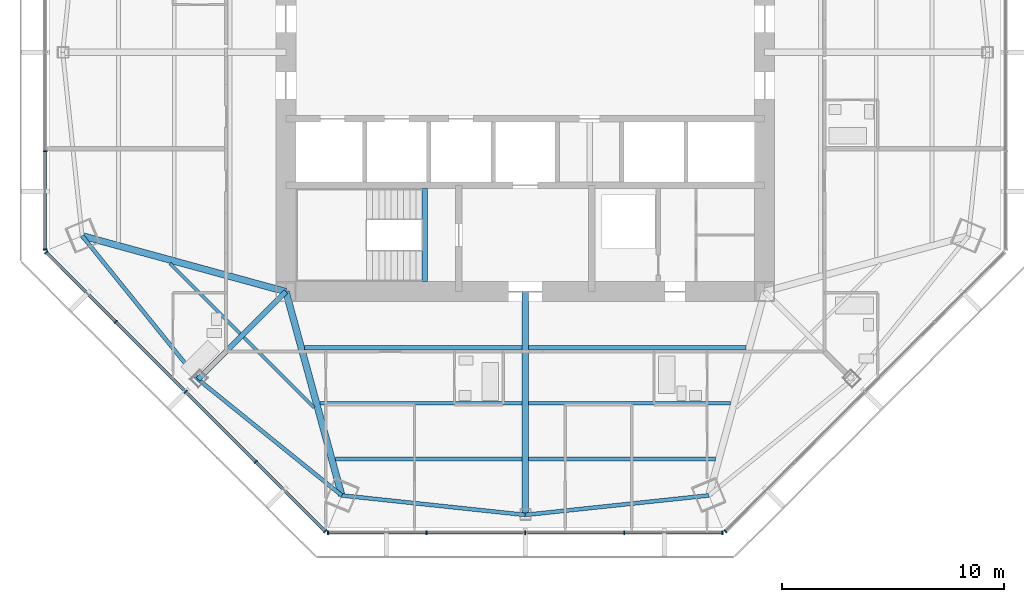
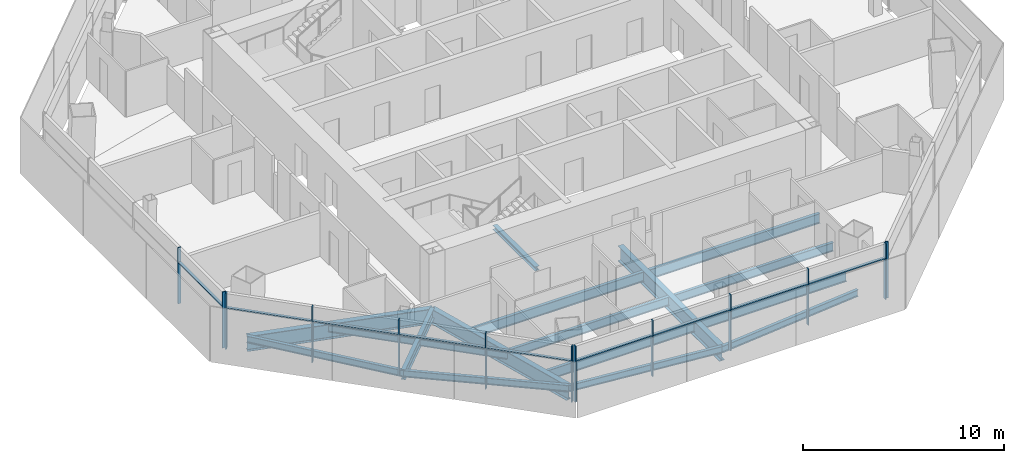
# One storey, part 2 of 15: 22 members, 17 beams, 4 elements without a shape of their own.
"""IFC4 building model written with IfcOpenShell, lengths in metres."""

from ifc_helpers import new_model, si_unit, direction, frame, origin, origin_2d, place, context, subcontext, project, spatial, rectangle, i_section, extrude, source, transform, mapped, material, material_profile, profile_set, type_object, type_shapes, element, aggregate, save


model = new_model("IFC4")

# Units and contexts
model_context = context("Model", 3, precision=1e-05, world=origin(), true_north=direction((0.0, 1.0)))
body_context = subcontext(model_context, "Body", "Model", "MODEL_VIEW")
ifc_project = project(units=[si_unit("LENGTHUNIT", "METRE"), si_unit("AREAUNIT", "SQUARE_METRE"), si_unit("VOLUMEUNIT", "CUBIC_METRE"), si_unit("PLANEANGLEUNIT", "RADIAN"), si_unit("MASSUNIT", "GRAM", prefix="KILO")], contexts=[model_context])

# Site, building, storey
site_placement = place(None, origin())
site = spatial("IfcSite", under=ifc_project, at=site_placement, CompositionType="ELEMENT")
building_placement = place(site_placement, origin())
building = spatial("IfcBuilding", under=site, at=building_placement, Name="Mashrafa Tower", CompositionType="ELEMENT")
storey_placement = place(building_placement, frame((0.0, 0.0, 224.39990234375)))
storey = spatial("IfcBuildingStorey", under=building, at=storey_placement, Name="L52", CompositionType="ELEMENT", Elevation=224.39990234375)

# Beams
ifc_material_1 = material(Name="Steel ASTM A992", Category="steel")
ifc_material_profile_1 = material_profile(ifc_material_1, i_section(OverallWidth=0.140380859375, OverallDepth=0.40380859375, WebThickness=0.007080078125, FlangeThickness=0.01123046875, FilletRadius=0.01025390625, at=origin_2d()), Name="W16X31")
ifc_profile_set_1 = profile_set([ifc_material_profile_1], Name="Steel ASTM A992")
beam_type_1 = type_object("IfcBeamType", Name="Beam W16X31", PredefinedType="BEAM", material=ifc_profile_set_1)
for number, where, z_axis, x_axis, name in (
    (1, (-12.860595703125, -12.698486328125, -0.40185546875), (-0.707106781187, 0.707106781187, 0.0), (-0.707106781187, -0.707106781187, 0.0), "Floor beam L52 008"),
    (2, (-9.5244140625, -16.03466796875, -0.40185546875), (-0.707106781187, 0.707106781187, 0.0), (-0.707106781187, -0.707106781187, 0.0), "Floor beam L52 012"),
):
    element("IfcBeam", number, at=place(storey_placement, frame(where, z_axis=z_axis, x_axis=x_axis)), inside=storey, type_object=beam_type_1, Name=name, PredefinedType="BEAM", context=body_context, shape_type="SweptSolid", body=[
        extrude(i_section(OverallWidth=0.140380859375, OverallDepth=0.40380859375, WebThickness=0.007080078125, FlangeThickness=0.01123046875, FilletRadius=0.01025390625, at=origin_2d()), origin(), (0.0, 0.0, 1.0), 4.48876953125),
    ])
ifc_material_2 = material(Name="Steel ASTM A992", Category="steel")
ifc_material_profile_2 = material_profile(ifc_material_2, i_section(OverallWidth=0.177734375, OverallDepth=0.406494140625, WebThickness=0.0078125, FlangeThickness=0.012939453125, FilletRadius=0.01025390625, at=origin_2d()), Name="W16X40")
ifc_profile_set_2 = profile_set([ifc_material_profile_2], Name="Steel ASTM A992")
beam_type_2 = type_object("IfcBeamType", Name="Beam W16X40", PredefinedType="BEAM", material=ifc_profile_set_2)
for number, where, z_axis, x_axis, name in (
    (3, (-19.994140625, -8.281982421875, -0.403076171875), (0.628601824372, -0.777727295648, 0.0), (0.777727295648, 0.628601824372, 0.0), "Spandrel beam L52 050"),
    (4, (-14.759033203125, -14.759033203125, -0.403076171875), (0.777727295648, -0.628601824372, 0.0), (0.628601824372, 0.777727295648, 0.0), "Spandrel beam L52 052"),
):
    element("IfcBeam", number, at=place(storey_placement, frame(where, z_axis=z_axis, x_axis=x_axis)), inside=storey, type_object=beam_type_2, Name=name, PredefinedType="BEAM", context=body_context, shape_type="SweptSolid", body=[
        extrude(i_section(OverallWidth=0.177734375, OverallDepth=0.406494140625, WebThickness=0.0078125, FlangeThickness=0.012939453125, FilletRadius=0.01025390625, at=origin_2d()), origin(), (0.0, 0.0, 1.0), 8.328125),
    ])
for number, where, z_axis, x_axis, name in (
    (5, (-8.281982421875, -19.994140625, -0.403076171875), (0.994425332774, -0.105443148365, 0.0), (0.105443148365, 0.994425332774, 0.0), "Spandrel beam L52 054"),
    (6, (0.0, -20.872314453125, -0.403076171875), (0.994425332774, 0.105443148365, 0.0), (-0.105443148365, 0.994425332774, 0.0), "Spandrel beam L52 056"),
):
    element("IfcBeam", number, at=place(storey_placement, frame(where, z_axis=z_axis, x_axis=x_axis)), inside=storey, type_object=beam_type_2, Name=name, PredefinedType="BEAM", context=body_context, shape_type="SweptSolid", body=[
        extrude(i_section(OverallWidth=0.177734375, OverallDepth=0.406494140625, WebThickness=0.0078125, FlangeThickness=0.012939453125, FilletRadius=0.01025390625, at=origin_2d()), origin(), (0.0, 0.0, 1.0), 8.328369140625),
    ])
ifc_material_3 = material(Name="Steel ASTM A992", Category="steel")
ifc_material_profile_3 = material_profile(ifc_material_3, i_section(OverallWidth=0.1650390625, OverallDepth=0.52587890625, WebThickness=0.0087890625, FlangeThickness=0.011474609375, FilletRadius=0.0126953125, at=origin_2d()), Name="W21X44")
ifc_profile_set_3 = profile_set([ifc_material_profile_3], Name="Steel ASTM A992")
beam_type_3 = type_object("IfcBeamType", Name="Beam W21X44", PredefinedType="BEAM", material=ifc_profile_set_3)
for number, where, z_axis, x_axis, name in (
    (7, (-0.15380859375, -15.836181640625, -0.462890625), (-1.0, 0.0, 0.0), (0.0, -1.0, 0.0), "Floor beam L52 015"),
    (8, (9.2626953125, -15.836181640625, -0.462890625), (-1.0, 0.0, 0.0), (0.0, -1.0, 0.0), "Floor beam L52 022"),
):
    element("IfcBeam", number, at=place(storey_placement, frame(where, z_axis=z_axis, x_axis=x_axis)), inside=storey, type_object=beam_type_3, Name=name, PredefinedType="BEAM", context=body_context, shape_type="SweptSolid", body=[
        extrude(i_section(OverallWidth=0.1650390625, OverallDepth=0.52587890625, WebThickness=0.0087890625, FlangeThickness=0.011474609375, FilletRadius=0.0126953125, at=origin_2d()), origin(), (0.0, 0.0, 1.0), 9.10888671875),
    ])
ifc_material_4 = material(Name="Steel ASTM A992", Category="steel")
ifc_material_profile_4 = material_profile(ifc_material_4, i_section(OverallWidth=0.177978515625, OverallDepth=0.599365234375, WebThickness=0.010009765625, FlangeThickness=0.012939453125, FilletRadius=0.012939453125, at=origin_2d()), Name="W24X55")
ifc_profile_set_4 = profile_set([ifc_material_profile_4], Name="Steel ASTM A992")
beam_type_4 = type_object("IfcBeamType", Name="Beam W24X55", PredefinedType="BEAM", material=ifc_profile_set_4)
beam_1_placement = place(storey_placement, frame((-0.15380859375, -18.354248046875, -0.49951171875), z_axis=(-1.0, 0.0, 0.0), x_axis=(0.0, -1.0, 0.0)))
element("IfcBeam", 9, at=beam_1_placement, inside=storey, type_object=beam_type_4, Name="Floor beam L52 014", PredefinedType="BEAM", context=body_context, shape_type="SweptSolid", body=[
    extrude(i_section(OverallWidth=0.177978515625, OverallDepth=0.599365234375, WebThickness=0.010009765625, FlangeThickness=0.012939453125, FilletRadius=0.012939453125, at=origin_2d()), origin(), (0.0, 0.0, 1.0), 8.419189453125),
])
beam_2_placement = place(storey_placement, frame((-0.15380859375, -13.318115234375, -0.49951171875), z_axis=(-1.0, 0.0, 0.0), x_axis=(0.0, -1.0, 0.0)))
element("IfcBeam", 10, at=beam_2_placement, inside=storey, type_object=beam_type_4, Name="Floor beam L52 016", PredefinedType="BEAM", context=body_context, shape_type="SweptSolid", body=[
    extrude(i_section(OverallWidth=0.177978515625, OverallDepth=0.599365234375, WebThickness=0.010009765625, FlangeThickness=0.012939453125, FilletRadius=0.012939453125, at=origin_2d()), origin(), (0.0, 0.0, 1.0), 9.798583984375),
])
beam_3_placement = place(storey_placement, frame((8.572998046875, -18.354248046875, -0.49951171875), z_axis=(-1.0, 0.0, 0.0), x_axis=(0.0, -1.0, 0.0)))
element("IfcBeam", 11, at=beam_3_placement, inside=storey, type_object=beam_type_4, Name="Floor beam L52 020", PredefinedType="BEAM", context=body_context, shape_type="SweptSolid", body=[
    extrude(i_section(OverallWidth=0.177978515625, OverallDepth=0.599365234375, WebThickness=0.010009765625, FlangeThickness=0.012939453125, FilletRadius=0.012939453125, at=origin_2d()), origin(), (0.0, 0.0, 1.0), 8.419189453125),
])
beam_4_placement = place(storey_placement, frame((9.952392578125, -13.318115234375, -0.49951171875), z_axis=(-1.0, 0.0, 0.0), x_axis=(0.0, -1.0, 0.0)))
element("IfcBeam", 12, at=beam_4_placement, inside=storey, type_object=beam_type_4, Name="Floor beam L52 023", PredefinedType="BEAM", context=body_context, shape_type="SweptSolid", body=[
    extrude(i_section(OverallWidth=0.177978515625, OverallDepth=0.599365234375, WebThickness=0.010009765625, FlangeThickness=0.012939453125, FilletRadius=0.012939453125, at=origin_2d()), origin(), (0.0, 0.0, 1.0), 9.798583984375),
])
ifc_material_5 = material(Name="Steel ASTM A992", Category="steel")
ifc_material_profile_5 = material_profile(ifc_material_5, i_section(OverallWidth=0.22900390625, OverallDepth=0.612060546875, WebThickness=0.011962890625, FlangeThickness=0.01953125, FilletRadius=0.0126953125, at=origin_2d()), Name="W24X84")
ifc_profile_set_5 = profile_set([ifc_material_profile_5], Name="Steel ASTM A992")
beam_type_5 = type_object("IfcBeamType", Name="Beam W24X84", PredefinedType="BEAM", material=ifc_profile_set_5)
beam_5_placement = place(storey_placement, frame((-10.800048828125, -10.800048828125, -0.505859375), z_axis=(-0.707106781187, -0.707106781187, 0.0), x_axis=(0.707106781187, -0.707106781187, 0.0)))
element("IfcBeam", 13, at=beam_5_placement, inside=storey, type_object=beam_type_5, Name="Radial girder L52 034", PredefinedType="BEAM", context=body_context, shape_type="SweptSolid", body=[
    extrude(i_section(OverallWidth=0.22900390625, OverallDepth=0.612060546875, WebThickness=0.011962890625, FlangeThickness=0.01953125, FilletRadius=0.0126953125, at=origin_2d()), origin(), (0.0, 0.0, 1.0), 5.598876953125),
])
ifc_material_6 = material(Name="Steel ASTM A992", Category="steel")
ifc_material_profile_6 = material_profile(ifc_material_6, i_section(OverallWidth=0.3046875, OverallDepth=0.911865234375, WebThickness=0.015869140625, FlangeThickness=0.02392578125, FilletRadius=0.01904296875, at=origin_2d()), Name="W36X150")
ifc_profile_set_6 = profile_set([ifc_material_profile_6], Name="Steel ASTM A992")
beam_type_6 = type_object("IfcBeamType", Name="Beam W36X150", PredefinedType="BEAM", material=ifc_profile_set_6)
for number, where, z_axis, x_axis, name in (
    (14, (-10.800048828125, -10.800048828125, -0.65576171875), (-0.964481350418, 0.264150950588, 0.0), (-0.264150950588, -0.964481350418, 0.0), "Radial girder L52 033"),
    (15, (-10.800048828125, -10.800048828125, -0.65576171875), (0.264150950588, -0.964481350418, 0.0), (0.964481350418, 0.264150950588, 0.0), "Radial girder L52 035"),
):
    element("IfcBeam", number, at=place(storey_placement, frame(where, z_axis=z_axis, x_axis=x_axis)), inside=storey, type_object=beam_type_6, Name=name, PredefinedType="BEAM", context=body_context, shape_type="SweptSolid", body=[
        extrude(i_section(OverallWidth=0.3046875, OverallDepth=0.911865234375, WebThickness=0.015869140625, FlangeThickness=0.02392578125, FilletRadius=0.01904296875, at=origin_2d()), origin(), (0.0, 0.0, 1.0), 9.53271484375),
    ])
ifc_material_7 = material(Name="Steel ASTM A992", Category="steel")
ifc_material_profile_7 = material_profile(ifc_material_7, i_section(OverallWidth=0.307373046875, OverallDepth=0.927001953125, WebThickness=0.01953125, FlangeThickness=0.031982421875, FilletRadius=0.01904296875, at=origin_2d()), Name="W36X194")
ifc_profile_set_7 = profile_set([ifc_material_profile_7], Name="Steel ASTM A992")
beam_type_7 = type_object("IfcBeamType", Name="Beam W36X194", PredefinedType="BEAM", material=ifc_profile_set_7)
beam_6_placement = place(storey_placement, frame((0.0, -10.800048828125, -0.66357421875), z_axis=(0.0, -1.0, 0.0), x_axis=(1.0, 0.0, 0.0)))
element("IfcBeam", 16, at=beam_6_placement, inside=storey, type_object=beam_type_7, Name="Radial girder L52 040", PredefinedType="BEAM", context=body_context, shape_type="SweptSolid", body=[
    extrude(i_section(OverallWidth=0.307373046875, OverallDepth=0.927001953125, WebThickness=0.01953125, FlangeThickness=0.031982421875, FilletRadius=0.01904296875, at=origin_2d()), origin(), (0.0, 0.0, 1.0), 10.072265625),
])
ifc_material_8 = material(Name="Steel ASTM A992", Category="steel")
ifc_material_profile_8 = material_profile(ifc_material_8, i_section(OverallWidth=0.25390625, OverallDepth=0.25390625, WebThickness=0.008544921875, FlangeThickness=0.01416015625, FilletRadius=0.010009765625, at=origin_2d()), Name="W10X49")
ifc_profile_set_8 = profile_set([ifc_material_profile_8], Name="Steel ASTM A992")
beam_type_8 = type_object("IfcBeamType", Name="Hoistway beam W10X49", PredefinedType="BEAM", material=ifc_profile_set_8)
beam_7_placement = place(storey_placement, frame((-4.530029296875, -10.35009765625, -0.326904296875), z_axis=(0.0, 1.0, 0.0), x_axis=(-1.0, 0.0, 0.0)))
element("IfcBeam", 17, at=beam_7_placement, inside=storey, type_object=beam_type_8, Name="Stair S3 landing beam L52", PredefinedType="BEAM", context=body_context, shape_type="SweptSolid", body=[
    extrude(i_section(OverallWidth=0.25390625, OverallDepth=0.25390625, WebThickness=0.008544921875, FlangeThickness=0.01416015625, FilletRadius=0.010009765625, at=origin_2d()), origin(), (0.0, 0.0, 1.0), 4.2001953125),
])

# Curtain wall, members
ifc_material_9 = material(Name="Unitised aluminium curtain wall", Category="aluminium")
curtain_wall_type = type_object("IfcCurtainWallType", Name="Apartment curtain wall, zone 3 CW-C 180 deep", PredefinedType="NOTDEFINED", material=ifc_material_9)
curtain_wall_1_placement = place(storey_placement, origin())
curtain_wall_1 = element("IfcCurtainWall", 18, at=curtain_wall_1_placement, inside=storey, type_object=curtain_wall_type, Name="Apartment curtain wall, zone 3 L52 west", PredefinedType="NOTDEFINED")
ifc_material_10 = material(Name="Extruded aluminium mullion", Category="aluminium")
ifc_material_profile_9 = material_profile(ifc_material_10, rectangle(XDim=0.179931640625, YDim=0.06005859375, at=origin_2d()), Name="Mullion 60x180")
ifc_profile_set_9 = profile_set([ifc_material_profile_9], Name="Extruded aluminium mullion")
member_type_1 = type_object("IfcMemberType", Name="Mullion CW-C 60 x 180", PredefinedType="MULLION", material=ifc_profile_set_9)
shared_shape_1 = source(origin(), body_context, "Body", "SweptSolid", [
    extrude(rectangle(XDim=0.179931640625, YDim=0.06005859375, at=origin_2d()), origin(), (0.0, 0.0, 1.0), 3.400146484375),
])
type_shapes(member_type_1, [shared_shape_1])
member_1_placement = place(storey_placement, frame((-21.666748046875, -4.463623046875, 0.0), z_axis=(0.0, 0.0, 1.0), x_axis=(1.0, 0.0, 0.0)))
member_1 = element("IfcMember", 19, at=member_1_placement, type_object=member_type_1, Name="CW-C mullion 4", PredefinedType="MULLION", context=body_context, shape_type="MappedRepresentation", body=[
    mapped(shared_shape_1, transform((0.0, 0.0, 0.0))),
])
member_2_placement = place(storey_placement, frame((-21.666748046875, -8.8974609375, 0.0), z_axis=(0.0, 0.0, 1.0), x_axis=(1.0, 0.0, 0.0)))
member_2 = element("IfcMember", 20, at=member_2_placement, type_object=member_type_1, Name="CW-C mullion 5", PredefinedType="MULLION", context=body_context, shape_type="MappedRepresentation", body=[
    mapped(shared_shape_1, transform((0.0, 0.0, 0.0))),
])

curtain_wall_2_placement = place(storey_placement, origin())
curtain_wall_2 = element("IfcCurtainWall", 21, at=curtain_wall_2_placement, inside=storey, type_object=curtain_wall_type, Name="Apartment curtain wall, zone 3 L52 south-west", PredefinedType="NOTDEFINED")
member_3_placement = place(storey_placement, frame((-21.612060546875, -9.029296875, 0.0), z_axis=(0.0, 0.0, 1.0), x_axis=(0.707106781187, 0.707106781187, 0.0)))
member_3 = element("IfcMember", 22, at=member_3_placement, type_object=member_type_1, Name="CW-C mullion 1", PredefinedType="MULLION", context=body_context, shape_type="MappedRepresentation", body=[
    mapped(shared_shape_1, transform((0.0, 0.0, 0.0))),
])
member_4_placement = place(storey_placement, frame((-18.47705078125, -12.164306640625, 0.0), z_axis=(0.0, 0.0, 1.0), x_axis=(0.707106781187, 0.707106781187, 0.0)))
member_4 = element("IfcMember", 23, at=member_4_placement, type_object=member_type_1, Name="CW-C mullion 2", PredefinedType="MULLION", context=body_context, shape_type="MappedRepresentation", body=[
    mapped(shared_shape_1, transform((0.0, 0.0, 0.0))),
])
member_5_placement = place(storey_placement, frame((-15.32080078125, -15.32080078125, 0.0), z_axis=(0.0, 0.0, 1.0), x_axis=(0.707106781187, 0.707106781187, 0.0)))
member_5 = element("IfcMember", 24, at=member_5_placement, type_object=member_type_1, Name="CW-C mullion 3", PredefinedType="MULLION", context=body_context, shape_type="MappedRepresentation", body=[
    mapped(shared_shape_1, transform((0.0, 0.0, 0.0))),
])
member_6_placement = place(storey_placement, frame((-12.164306640625, -18.47705078125, 0.0), z_axis=(0.0, 0.0, 1.0), x_axis=(0.707106781187, 0.707106781187, 0.0)))
member_6 = element("IfcMember", 25, at=member_6_placement, type_object=member_type_1, Name="CW-C mullion 4", PredefinedType="MULLION", context=body_context, shape_type="MappedRepresentation", body=[
    mapped(shared_shape_1, transform((0.0, 0.0, 0.0))),
])
member_7_placement = place(storey_placement, frame((-9.029296875, -21.612060546875, 0.0), z_axis=(0.0, 0.0, 1.0), x_axis=(0.707106781187, 0.707106781187, 0.0)))
member_7 = element("IfcMember", 26, at=member_7_placement, type_object=member_type_1, Name="CW-C mullion 5", PredefinedType="MULLION", context=body_context, shape_type="MappedRepresentation", body=[
    mapped(shared_shape_1, transform((0.0, 0.0, 0.0))),
])

curtain_wall_3_placement = place(storey_placement, origin())
curtain_wall_3 = element("IfcCurtainWall", 27, at=curtain_wall_3_placement, inside=storey, type_object=curtain_wall_type, Name="Apartment curtain wall, zone 3 L52 south", PredefinedType="NOTDEFINED")
member_8_placement = place(storey_placement, frame((-8.8974609375, -21.666748046875, 0.0), z_axis=(0.0, 0.0, 1.0), x_axis=(0.0, 1.0, 0.0)))
member_8 = element("IfcMember", 28, at=member_8_placement, type_object=member_type_1, Name="CW-C mullion 1", PredefinedType="MULLION", context=body_context, shape_type="MappedRepresentation", body=[
    mapped(shared_shape_1, transform((0.0, 0.0, 0.0))),
])
member_9_placement = place(storey_placement, frame((-4.463623046875, -21.666748046875, 0.0), z_axis=(0.0, 0.0, 1.0), x_axis=(0.0, 1.0, 0.0)))
member_9 = element("IfcMember", 29, at=member_9_placement, type_object=member_type_1, Name="CW-C mullion 2", PredefinedType="MULLION", context=body_context, shape_type="MappedRepresentation", body=[
    mapped(shared_shape_1, transform((0.0, 0.0, 0.0))),
])
member_10_placement = place(storey_placement, frame((0.0, -21.666748046875, 0.0), z_axis=(0.0, 0.0, 1.0), x_axis=(0.0, 1.0, 0.0)))
member_10 = element("IfcMember", 30, at=member_10_placement, type_object=member_type_1, Name="CW-C mullion 3", PredefinedType="MULLION", context=body_context, shape_type="MappedRepresentation", body=[
    mapped(shared_shape_1, transform((0.0, 0.0, 0.0))),
])
member_11_placement = place(storey_placement, frame((4.463623046875, -21.666748046875, 0.0), z_axis=(0.0, 0.0, 1.0), x_axis=(0.0, 1.0, 0.0)))
member_11 = element("IfcMember", 31, at=member_11_placement, type_object=member_type_1, Name="CW-C mullion 4", PredefinedType="MULLION", context=body_context, shape_type="MappedRepresentation", body=[
    mapped(shared_shape_1, transform((0.0, 0.0, 0.0))),
])
member_12_placement = place(storey_placement, frame((8.8974609375, -21.666748046875, 0.0), z_axis=(0.0, 0.0, 1.0), x_axis=(0.0, 1.0, 0.0)))
member_12 = element("IfcMember", 32, at=member_12_placement, type_object=member_type_1, Name="CW-C mullion 5", PredefinedType="MULLION", context=body_context, shape_type="MappedRepresentation", body=[
    mapped(shared_shape_1, transform((0.0, 0.0, 0.0))),
])

# Curtain wall, member
curtain_wall_4_placement = place(storey_placement, origin())
curtain_wall_4 = element("IfcCurtainWall", 33, at=curtain_wall_4_placement, inside=storey, type_object=curtain_wall_type, Name="Apartment curtain wall, zone 3 L52 south-east", PredefinedType="NOTDEFINED")
member_13_placement = place(storey_placement, frame((9.029296875, -21.612060546875, 0.0), z_axis=(0.0, 0.0, 1.0), x_axis=(-0.707106781187, 0.707106781187, 0.0)))
member_13 = element("IfcMember", 34, at=member_13_placement, type_object=member_type_1, Name="CW-C mullion 1", PredefinedType="MULLION", context=body_context, shape_type="MappedRepresentation", body=[
    mapped(shared_shape_1, transform((0.0, 0.0, 0.0))),
])
aggregate(curtain_wall_4, [member_13])

# Member
ifc_material_11 = material(Name="Extruded aluminium transom", Category="aluminium")
ifc_material_profile_10 = material_profile(ifc_material_11, rectangle(XDim=0.14404296875, YDim=0.074951171875, at=origin_2d()), Name="Transom 75x144")
ifc_profile_set_10 = profile_set([ifc_material_profile_10], Name="Extruded aluminium transom")
member_type_2 = type_object("IfcMemberType", Name="Transom CW-C 75 x 144", PredefinedType="MULLION", material=ifc_profile_set_10)
shared_shape_2 = source(origin(), body_context, "Body", "SweptSolid", [
    extrude(rectangle(XDim=0.14404296875, YDim=0.074951171875, at=origin_2d()), origin(), (0.0, 0.0, 1.0), 4.373779296875),
])
member_14_placement = place(storey_placement, frame((-21.666748046875, -4.49365234375, 2.5), z_axis=(0.0, -1.0, 0.0), x_axis=(1.0, 0.0, 0.0)))
member_14 = element("IfcMember", 35, at=member_14_placement, type_object=member_type_2, Name="CW-C transom 4", PredefinedType="MULLION", context=body_context, shape_type="MappedRepresentation", body=[
    mapped(shared_shape_2, transform((0.0, 0.0, 0.0))),
])

aggregate(curtain_wall_1, [member_1, member_2, member_14])

member_15_placement = place(storey_placement, frame((-21.5908203125, -9.050537109375, 2.5), z_axis=(0.707078870362, -0.707134690909, 0.0), x_axis=(0.707134690909, 0.707078870362, 0.0)))
member_15 = element("IfcMember", 36, at=member_15_placement, type_object=member_type_2, Name="CW-C transom 1", PredefinedType="MULLION", context=body_context, shape_type="MappedRepresentation", body=[
    mapped(shared_shape_2, transform((0.0, 0.0, 0.0))),
])

member_16_placement = place(storey_placement, frame((-12.143310546875, -18.498291015625, 2.5), z_axis=(0.707134690909, -0.707078870362, 0.0), x_axis=(0.707078870362, 0.707134690909, 0.0)))
member_16 = element("IfcMember", 37, at=member_16_placement, type_object=member_type_2, Name="CW-C transom 4", PredefinedType="MULLION", context=body_context, shape_type="MappedRepresentation", body=[
    mapped(shared_shape_2, transform((0.0, 0.0, 0.0))),
])

member_17_placement = place(storey_placement, frame((-8.867431640625, -21.666748046875, 2.5), z_axis=(1.0, 0.0, 0.0), x_axis=(0.0, 1.0, 0.0)))
member_17 = element("IfcMember", 38, at=member_17_placement, type_object=member_type_2, Name="CW-C transom 1", PredefinedType="MULLION", context=body_context, shape_type="MappedRepresentation", body=[
    mapped(shared_shape_2, transform((0.0, 0.0, 0.0))),
])

member_18_placement = place(storey_placement, frame((4.49365234375, -21.666748046875, 2.5), z_axis=(1.0, 0.0, 0.0), x_axis=(0.0, 1.0, 0.0)))
member_18 = element("IfcMember", 39, at=member_18_placement, type_object=member_type_2, Name="CW-C transom 4", PredefinedType="MULLION", context=body_context, shape_type="MappedRepresentation", body=[
    mapped(shared_shape_2, transform((0.0, 0.0, 0.0))),
])

shared_shape_3 = source(origin(), body_context, "Body", "SweptSolid", [
    extrude(rectangle(XDim=0.14404296875, YDim=0.074951171875, at=origin_2d()), origin(), (0.0, 0.0, 1.0), 4.403564453125),
])
member_19_placement = place(storey_placement, frame((-4.43359375, -21.666748046875, 2.5), z_axis=(1.0, 0.0, 0.0), x_axis=(0.0, 1.0, 0.0)))
member_19 = element("IfcMember", 40, at=member_19_placement, type_object=member_type_2, Name="CW-C transom 2", PredefinedType="MULLION", context=body_context, shape_type="MappedRepresentation", body=[
    mapped(shared_shape_3, transform((0.0, 0.0, 0.0))),
])

member_20_placement = place(storey_placement, frame((0.030029296875, -21.666748046875, 2.5), z_axis=(1.0, 0.0, 0.0), x_axis=(0.0, 1.0, 0.0)))
member_20 = element("IfcMember", 41, at=member_20_placement, type_object=member_type_2, Name="CW-C transom 3", PredefinedType="MULLION", context=body_context, shape_type="MappedRepresentation", body=[
    mapped(shared_shape_3, transform((0.0, 0.0, 0.0))),
])

aggregate(curtain_wall_3, [member_8, member_9, member_10, member_11, member_12, member_17, member_19, member_20, member_18])

shared_shape_4 = source(origin(), body_context, "Body", "SweptSolid", [
    extrude(rectangle(XDim=0.14404296875, YDim=0.074951171875, at=origin_2d()), origin(), (0.0, 0.0, 1.0), 4.40380859375),
])
type_shapes(member_type_2, [shared_shape_2, shared_shape_3, shared_shape_4])
member_21_placement = place(storey_placement, frame((-18.455810546875, -12.185546875, 2.5), z_axis=(0.707079060749, -0.707134500537, 0.0), x_axis=(0.707134500537, 0.707079060749, 0.0)))
member_21 = element("IfcMember", 42, at=member_21_placement, type_object=member_type_2, Name="CW-C transom 2", PredefinedType="MULLION", context=body_context, shape_type="MappedRepresentation", body=[
    mapped(shared_shape_4, transform((0.0, 0.0, 0.0))),
])

member_22_placement = place(storey_placement, frame((-15.299560546875, -15.342041015625, 2.5), z_axis=(0.707134500537, -0.707079060749, 0.0), x_axis=(0.707079060749, 0.707134500537, 0.0)))
member_22 = element("IfcMember", 43, at=member_22_placement, type_object=member_type_2, Name="CW-C transom 3", PredefinedType="MULLION", context=body_context, shape_type="MappedRepresentation", body=[
    mapped(shared_shape_4, transform((0.0, 0.0, 0.0))),
])

aggregate(curtain_wall_2, [member_3, member_4, member_5, member_6, member_7, member_15, member_21, member_22, member_16])

save(model, "model.ifc")
